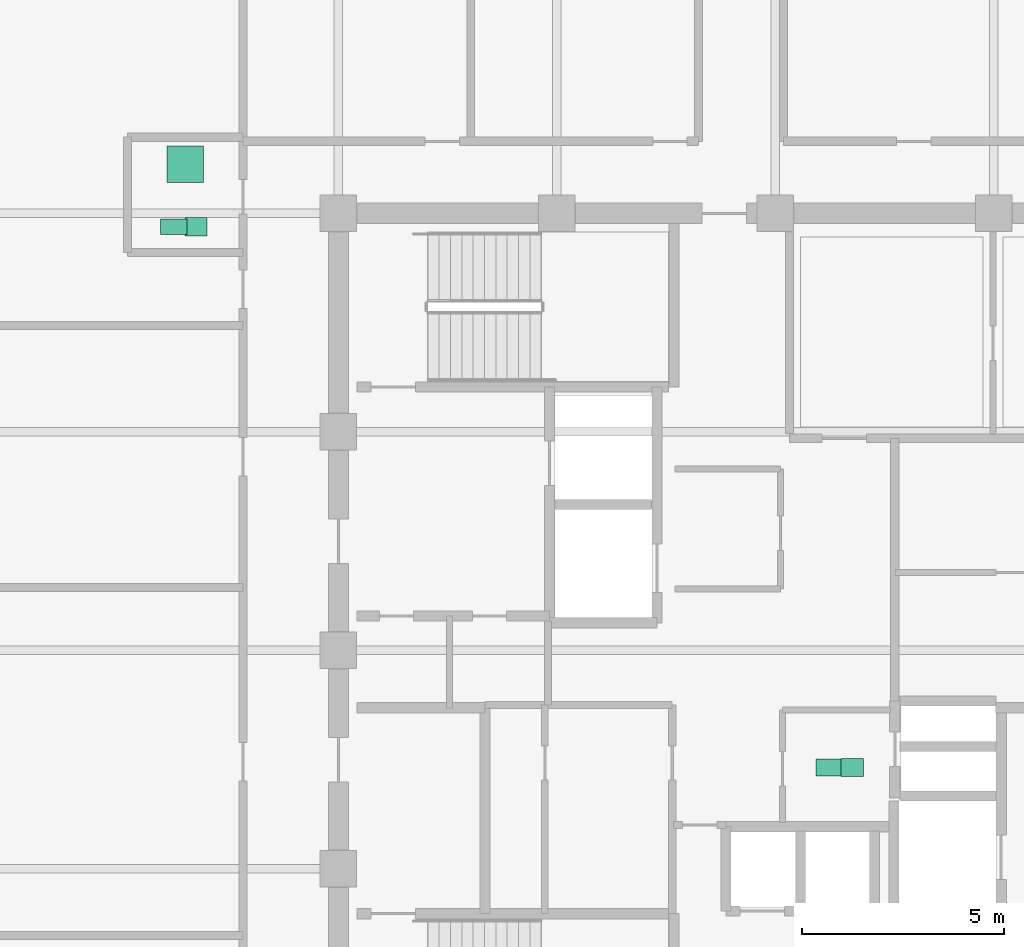
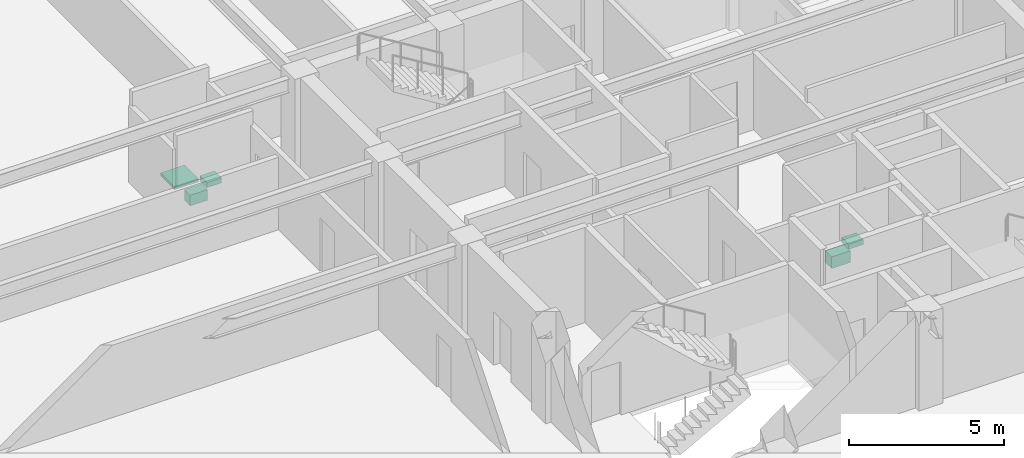
# One storey, part 30 of 30: 5 sanitary terminals.
"""IFC4 building model written with IfcOpenShell, lengths in metres."""

from ifc_helpers import new_model, si_unit, direction, frame, origin, origin_2d, place, context, subcontext, project, spatial, rectangle, extrude, material, type_object, element, save


model = new_model("IFC4")

# Units and contexts
model_context = context("Model", 3, precision=1e-05, world=origin(), true_north=direction((0.0, 1.0)))
body_context = subcontext(model_context, "Body", "Model", "MODEL_VIEW")
ifc_project = project(units=[si_unit("LENGTHUNIT", "METRE"), si_unit("AREAUNIT", "SQUARE_METRE"), si_unit("VOLUMEUNIT", "CUBIC_METRE"), si_unit("PLANEANGLEUNIT", "RADIAN"), si_unit("MASSUNIT", "GRAM", prefix="KILO")], contexts=[model_context])

# Site, building, storey
site_placement = place(None, origin())
site = spatial("IfcSite", under=ifc_project, at=site_placement, CompositionType="ELEMENT")
building_placement = place(site_placement, origin())
building = spatial("IfcBuilding", under=site, at=building_placement, Name="Surkhivell Harbour Commons", CompositionType="ELEMENT")
storey_placement = place(building_placement, frame((0.0, 0.0, 307.5)))
storey = spatial("IfcBuildingStorey", under=building, at=storey_placement, Name="L80", CompositionType="ELEMENT", Elevation=307.5)

# Sanitary terminals
ifc_material_1 = material(Name="Vitreous china washbasin", Category="other")
sanitary_terminal_type_1 = type_object("IfcSanitaryTerminalType", Name="SAN-BSN", PredefinedType="WASHHANDBASIN", material=ifc_material_1)
for number, where, z_axis, x_axis, name in (
    (1, (1.89990234375, -2.89990234375, 0.72021484375), (0.0, 0.0, 1.0), (1.0, 0.0, 0.0), "L80 Core Accessible WC Washbasin"),
    (2, (-14.320068359375, 10.469970703125, 0.72021484375), (0.0, 0.0, 1.0), (1.0, 0.0, 0.0), "L80 West Communal Bathroom WC Washbasin"),
):
    element("IfcSanitaryTerminal", number, at=place(storey_placement, frame(where, z_axis=z_axis, x_axis=x_axis)), inside=storey, type_object=sanitary_terminal_type_1, Name=name, PredefinedType="WASHHANDBASIN", context=body_context, shape_type="SweptSolid", body=[
        extrude(rectangle(XDim=0.550048828125, YDim=0.449951171875, at=origin_2d()), origin(), (0.0, 0.0, 1.0), 0.199951171875),
    ])
ifc_material_2 = material(Name="Glazed porcelain shower tray", Category="other")
sanitary_terminal_type_2 = type_object("IfcSanitaryTerminalType", Name="SAN-SHW", PredefinedType="SHOWER", material=ifc_material_2)
sanitary_terminal_1_placement = place(storey_placement, frame((-14.590087890625, 12.010009765625, 0.0), z_axis=(0.0, 0.0, 1.0), x_axis=(1.0, 0.0, 0.0)))
element("IfcSanitaryTerminal", 3, at=sanitary_terminal_1_placement, inside=storey, type_object=sanitary_terminal_type_2, Name="L80 West Communal Shower Tray", PredefinedType="SHOWER", context=body_context, shape_type="SweptSolid", body=[
    extrude(rectangle(XDim=0.89990234375, YDim=0.89990234375, at=origin_2d()), origin(), (0.0, 0.0, 1.0), 0.1201171875),
])
ifc_material_3 = material(Name="Vitreous china sanitaryware", Category="other")
sanitary_terminal_type_3 = type_object("IfcSanitaryTerminalType", Name="SAN-WC-ACC", PredefinedType="TOILETPAN", material=ifc_material_3)
sanitary_terminal_2_placement = place(storey_placement, frame((1.35009765625, -2.89990234375, 0.169921875), z_axis=(0.0, 0.0, 1.0), x_axis=(1.0, 0.0, 0.0)))
element("IfcSanitaryTerminal", 4, at=sanitary_terminal_2_placement, inside=storey, type_object=sanitary_terminal_type_3, Name="L80 Core Accessible WC", PredefinedType="TOILETPAN", context=body_context, shape_type="SweptSolid", body=[
    extrude(rectangle(XDim=0.699951171875, YDim=0.419921875, at=origin_2d()), origin(), (0.0, 0.0, 1.0), 0.4599609375),
])
sanitary_terminal_type_4 = type_object("IfcSanitaryTerminalType", Name="SAN-WC-STD", PredefinedType="TOILETPAN", material=ifc_material_3)
sanitary_terminal_3_placement = place(storey_placement, frame((-14.8701171875, 10.469970703125, 0.18994140625), z_axis=(0.0, 0.0, 1.0), x_axis=(1.0, 0.0, 0.0)))
element("IfcSanitaryTerminal", 5, at=sanitary_terminal_3_placement, inside=storey, type_object=sanitary_terminal_type_4, Name="L80 West Communal Bathroom WC", PredefinedType="TOILETPAN", context=body_context, shape_type="SweptSolid", body=[
    extrude(rectangle(XDim=0.64990234375, YDim=0.3798828125, at=origin_2d()), origin(), (0.0, 0.0, 1.0), 0.419921875),
])

save(model, "model.ifc")
